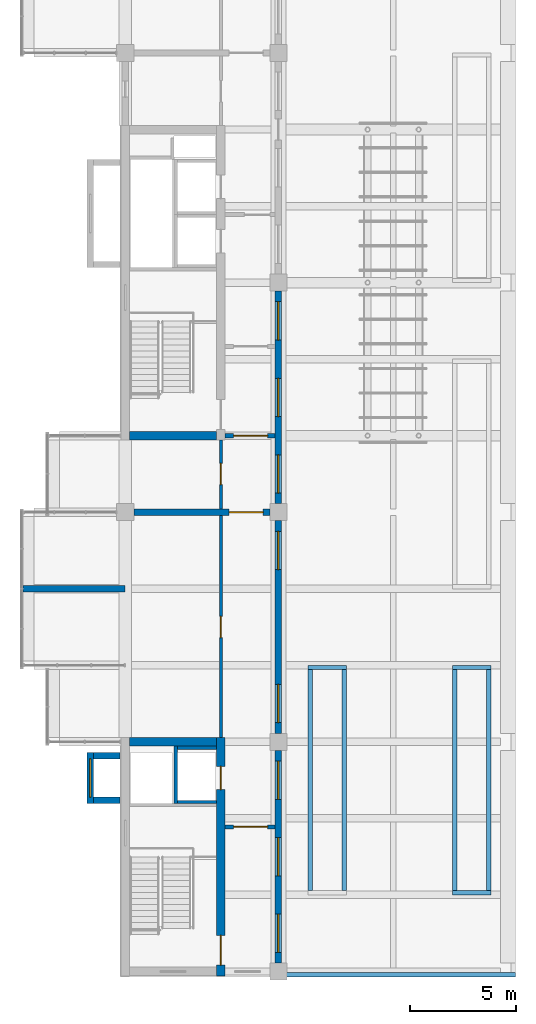
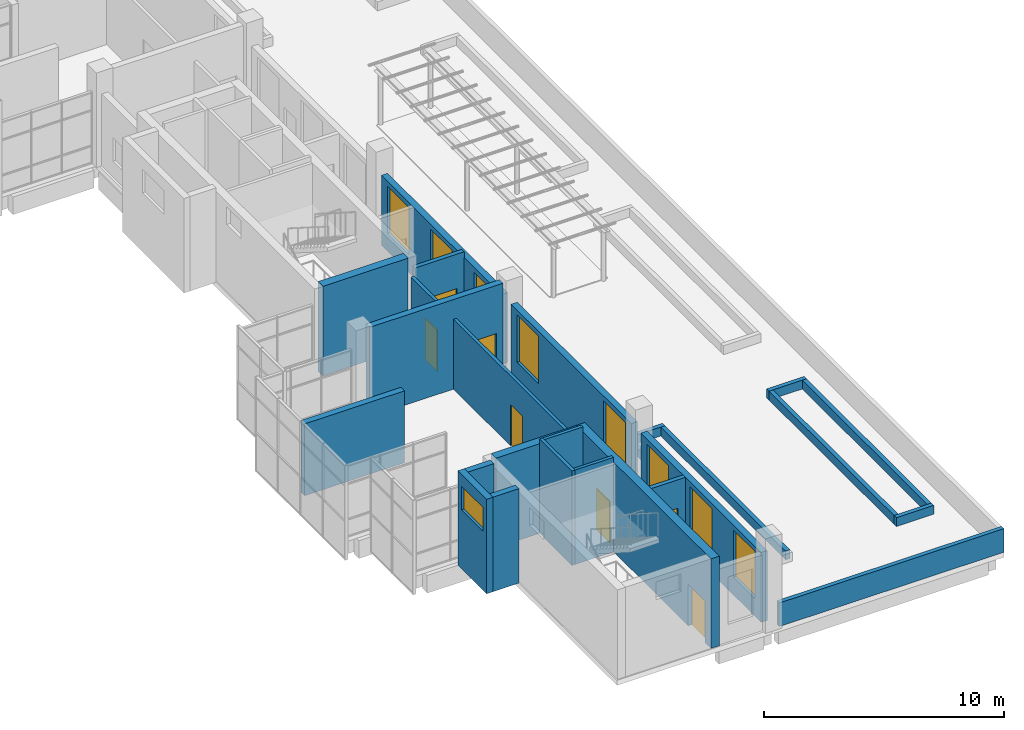
# One storey, part 12 of 16: 26 walls, 9 windows, 7 doors, 16 openings.
"""IFC4 building model written with IfcOpenShell, lengths in metres."""

from ifc_helpers import new_model, si_unit, direction, frame, frame_2d, origin, place, context, subcontext, project, spatial, rectangle, extrude, material, layer, layer_set, type_object, element, fill, save


model = new_model("IFC4")

# Units and contexts
model_context = context("Model", 3, precision=1e-05, world=origin(), true_north=direction((0.0, 1.0)))
body_context = subcontext(model_context, "Body", "Model", "MODEL_VIEW")
ifc_project = project(units=[si_unit("LENGTHUNIT", "METRE"), si_unit("AREAUNIT", "SQUARE_METRE"), si_unit("VOLUMEUNIT", "CUBIC_METRE"), si_unit("PLANEANGLEUNIT", "RADIAN"), si_unit("MASSUNIT", "GRAM", prefix="KILO")], contexts=[model_context])

# Site, building, storey
site_placement = place(None, origin())
site = spatial("IfcSite", under=ifc_project, at=site_placement, CompositionType="ELEMENT")
building_placement = place(site_placement, origin())
building = spatial("IfcBuilding", under=site, at=building_placement, Name="Basin Gate Institute", CompositionType="ELEMENT")
storey_placement = place(building_placement, frame((0.0, 0.0, 65.39990234375)))
storey = spatial("IfcBuildingStorey", under=building, at=storey_placement, Name="L13", CompositionType="ELEMENT", Elevation=65.39990234375)

# Wall
ifc_material_1 = material(Name="Aluminium-faced insulated panel wall", Category="aluminium")
ifc_layer_1 = layer(ifc_material_1, 0.300048828125)
ifc_layer_set_1 = layer_set([ifc_layer_1], Name="Capsule side wall EW2 EI 120")
wall_type_1 = type_object("IfcWallType", Name="Capsule side wall EW2 EI 120", PredefinedType="STANDARD", material=ifc_layer_set_1)
wall_1_placement = place(storey_placement, frame((56.39990234375, 53.10009765625, 0.0), z_axis=(0.0, 0.0, 1.0), x_axis=(1.0, 0.0, 0.0)))
element("IfcWall", 1, at=wall_1_placement, inside=storey, type_object=wall_type_1, material=ifc_layer_set_1, Name="Capsule side wall W wing L13 line 6", PredefinedType="STANDARD", context=body_context, shape_type="SweptSolid", body=[
    extrude(rectangle(XDim=4.800048828125, YDim=0.300048828125, at=frame_2d((2.39990234375, 0.0))), origin(), (0.0, 0.0, 1.0), 3.650146484375),
])

# Wall, opening, door
ifc_material_2 = material(Name="Fire-rated masonry", Category="masonry")
ifc_layer_2 = layer(ifc_material_2, 0.199951171875)
ifc_layer_set_2 = layer_set([ifc_layer_2], Name="Enclosure wall PW2 200 EI 60")
wall_type_2 = type_object("IfcWallType", Name="Enclosure wall PW2 200 EI 60", PredefinedType="PARTITIONING", material=ifc_layer_set_2)
wall_2_placement = place(storey_placement, frame((65.89990234375, 41.89990234375, 0.0), z_axis=(0.0, 0.0, 1.0), x_axis=(1.0, 0.0, 0.0)))
wall_2 = element("IfcWall", 2, at=wall_2_placement, inside=storey, type_object=wall_type_2, material=ifc_layer_set_2, Name="Smoke lobby enclosure wall PW2 L13", PredefinedType="PARTITIONING", context=body_context, shape_type="SweptSolid", body=[
    extrude(rectangle(XDim=2.35009765625, YDim=0.199951171875, at=frame_2d((1.175048828125, 0.0))), origin(), (0.0, 0.0, 1.0), 3.550048828125),
])
opening_1_placement = place(wall_2_placement, frame((0.39990234375, 0.0, 0.0)))
opening_1 = element("IfcOpeningElement", 3, at=opening_1_placement, cuts=wall_2, Name="Opening DR512", PredefinedType="OPENING", context=body_context, shape_type="SweptSolid", body=[
    extrude(rectangle(XDim=1.60009765625, YDim=2.10009765625, at=frame_2d((0.800048828125, 1.050048828125))), frame((0.0, 0.10986328125, 0.0), z_axis=(0.0, -1.0, 0.0), x_axis=(1.0, 0.0, 0.0)), (0.0, 0.0, 1.0), 0.219970703125),
])
ifc_material_3 = material(Name="Steel fire door", Category="steel")
door_type_1 = type_object("IfcDoorType", Name="FD60 Smoke lobby door pair D8", OperationType="DOUBLE_DOOR_SINGLE_SWING", PredefinedType="DOOR", material=ifc_material_3)
door_1_placement = place(opening_1_placement, frame((1.60009765625, 0.0, 0.0), z_axis=(0.0, 0.0, 1.0), x_axis=(-1.0, 0.0, 0.0)))
door_1 = element("IfcDoor", 4, at=door_1_placement, inside=storey, type_object=door_type_1, material=ifc_material_3, Name="Smoke lobby door SS1 L13", OperationType="DOUBLE_DOOR_SINGLE_SWING", OverallHeight=2.10009765625, OverallWidth=1.60009765625, PredefinedType="DOOR", context=body_context, shape_type="SweptSolid", body=[
    extrude(rectangle(XDim=1.60009765625, YDim=2.10009765625, at=frame_2d((0.800048828125, 1.050048828125))), frame((0.0, 0.02490234375, 0.0), z_axis=(0.0, -1.0, 0.0), x_axis=(1.0, 0.0, 0.0)), (0.0, 0.0, 1.0), 0.050048828125),
])
fill(opening_1, door_1)

wall_3_placement = place(storey_placement, frame((65.89990234375, 60.300048828125, 0.0), z_axis=(0.0, 0.0, 1.0), x_axis=(1.0, 0.0, 0.0)))
wall_3 = element("IfcWall", 5, at=wall_3_placement, inside=storey, type_object=wall_type_2, material=ifc_layer_set_2, Name="Smoke lobby enclosure wall PW2 L13", PredefinedType="PARTITIONING", context=body_context, shape_type="SweptSolid", body=[
    extrude(rectangle(XDim=2.35009765625, YDim=0.199951171875, at=frame_2d((1.175048828125, 0.0))), origin(), (0.0, 0.0, 1.0), 3.85009765625),
])
opening_2_placement = place(wall_3_placement, frame((0.39990234375, 0.0, 0.0)))
opening_2 = element("IfcOpeningElement", 6, at=opening_2_placement, cuts=wall_3, Name="Opening DR513", PredefinedType="OPENING", context=body_context, shape_type="SweptSolid", body=[
    extrude(rectangle(XDim=1.60009765625, YDim=2.10009765625, at=frame_2d((0.800048828125, 1.050048828125))), frame((0.0, 0.10986328125, 0.0), z_axis=(0.0, -1.0, 0.0), x_axis=(1.0, 0.0, 0.0)), (0.0, 0.0, 1.0), 0.219970703125),
])
door_2_placement = place(opening_2_placement, origin())
door_2 = element("IfcDoor", 7, at=door_2_placement, inside=storey, type_object=door_type_1, material=ifc_material_3, Name="Smoke lobby door SS2 L13", OperationType="DOUBLE_DOOR_SINGLE_SWING", OverallHeight=2.10009765625, OverallWidth=1.60009765625, PredefinedType="DOOR", context=body_context, shape_type="SweptSolid", body=[
    extrude(rectangle(XDim=1.60009765625, YDim=2.10009765625, at=frame_2d((0.800048828125, 1.050048828125))), frame((0.0, 0.02490234375, 0.0), z_axis=(0.0, -1.0, 0.0), x_axis=(1.0, 0.0, 0.0)), (0.0, 0.0, 1.0), 0.050048828125),
])
fill(opening_2, door_2)

# Wall, openings, windows
ifc_material_4 = material(Name="Aluminium-faced insulated panel wall", Category="aluminium")
ifc_layer_3 = layer(ifc_material_4, 0.300048828125)
ifc_layer_set_3 = layer_set([ifc_layer_3], Name="External wall EW1 EI 120")
wall_type_3 = type_object("IfcWallType", Name="External wall EW1 EI 120", PredefinedType="STANDARD", material=ifc_layer_set_3)
wall_4_placement = place(storey_placement, frame((68.39990234375, 46.300048828125, 0.0), z_axis=(0.0, 0.0, 1.0), x_axis=(0.0, 1.0, 0.0)))
wall_4 = element("IfcWall", 8, at=wall_4_placement, inside=storey, type_object=wall_type_3, material=ifc_layer_set_3, Name="External wall W step face L13 bay 2", PredefinedType="STANDARD", context=body_context, shape_type="SweptSolid", body=[
    extrude(rectangle(XDim=10.0, YDim=0.300048828125, at=frame_2d((5.0, 0.0))), origin(), (0.0, 0.0, 1.0), 3.550048828125),
])
opening_3_placement = place(wall_4_placement, frame((0.5, 0.0, 0.89990234375)))
opening_3 = element("IfcOpeningElement", 9, at=opening_3_placement, cuts=wall_4, Name="Opening WN1", PredefinedType="OPENING", context=body_context, shape_type="SweptSolid", body=[
    extrude(rectangle(XDim=1.800048828125, YDim=2.39990234375, at=frame_2d((0.89990234375, 1.199951171875))), frame((0.0, 0.16015625, 0.0), z_axis=(0.0, -1.0, 0.0), x_axis=(1.0, 0.0, 0.0)), (0.0, 0.0, 1.0), 0.320068359375),
])
opening_4_placement = place(wall_4_placement, frame((7.699951171875, 0.0, 0.89990234375)))
opening_4 = element("IfcOpeningElement", 10, at=opening_4_placement, cuts=wall_4, Name="Opening WN1", PredefinedType="OPENING", context=body_context, shape_type="SweptSolid", body=[
    extrude(rectangle(XDim=1.800048828125, YDim=2.39990234375, at=frame_2d((0.89990234375, 1.199951171875))), frame((0.0, 0.16015625, 0.0), z_axis=(0.0, -1.0, 0.0), x_axis=(1.0, 0.0, 0.0)), (0.0, 0.0, 1.0), 0.320068359375),
])
ifc_material_5 = material(Name="Aluminium-framed double glazing", Category="aluminium")
window_type_1 = type_object("IfcWindowType", Name="Facade window WN1", PartitioningType="SINGLE_PANEL", PredefinedType="WINDOW", material=ifc_material_5)
window_1_placement = place(opening_3_placement, origin())
window_1 = element("IfcWindow", 11, at=window_1_placement, inside=storey, type_object=window_type_1, material=ifc_material_5, Name="Facade window W step face L13 bay 2.1", OverallHeight=2.39990234375, OverallWidth=1.800048828125, PartitioningType="SINGLE_PANEL", PredefinedType="WINDOW", context=body_context, shape_type="SweptSolid", body=[
    extrude(rectangle(XDim=1.800048828125, YDim=2.39990234375, at=frame_2d((0.89990234375, 1.199951171875))), frame((0.0, 0.030029296875, 0.0), z_axis=(0.0, -1.0, 0.0), x_axis=(1.0, 0.0, 0.0)), (0.0, 0.0, 1.0), 0.06005859375),
])
fill(opening_3, window_1)
window_2_placement = place(opening_4_placement, origin())
window_2 = element("IfcWindow", 12, at=window_2_placement, inside=storey, type_object=window_type_1, material=ifc_material_5, Name="Facade window W step face L13 bay 2.3", OverallHeight=2.39990234375, OverallWidth=1.800048828125, PartitioningType="SINGLE_PANEL", PredefinedType="WINDOW", context=body_context, shape_type="SweptSolid", body=[
    extrude(rectangle(XDim=1.800048828125, YDim=2.39990234375, at=frame_2d((0.89990234375, 1.199951171875))), frame((0.0, 0.030029296875, 0.0), z_axis=(0.0, -1.0, 0.0), x_axis=(1.0, 0.0, 0.0)), (0.0, 0.0, 1.0), 0.06005859375),
])
fill(opening_4, window_2)

ifc_material_6 = material(Name="Aluminium-faced insulated panel wall", Category="aluminium")
ifc_layer_4 = layer(ifc_material_6, 0.300048828125)
ifc_layer_set_4 = layer_set([ifc_layer_4], Name="External wall EW5 EI 60")
wall_type_4 = type_object("IfcWallType", Name="External wall EW5 EI 60", PredefinedType="STANDARD", material=ifc_layer_set_4)
wall_5_placement = place(storey_placement, frame((68.39990234375, 35.5, 0.0), z_axis=(0.0, 0.0, 1.0), x_axis=(0.0, 1.0, 0.0)))
wall_5 = element("IfcWall", 13, at=wall_5_placement, inside=storey, type_object=wall_type_4, material=ifc_layer_set_4, Name="External wall W step face L13 bay 1", PredefinedType="STANDARD", context=body_context, shape_type="SweptSolid", body=[
    extrude(rectangle(XDim=10.0, YDim=0.300048828125, at=frame_2d((5.0, 0.0))), origin(), (0.0, 0.0, 1.0), 3.550048828125),
])
opening_5_placement = place(wall_5_placement, frame((0.5, 0.0, 0.89990234375)))
opening_5 = element("IfcOpeningElement", 14, at=opening_5_placement, cuts=wall_5, Name="Opening WN6", PredefinedType="OPENING", context=body_context, shape_type="SweptSolid", body=[
    extrude(rectangle(XDim=1.800048828125, YDim=2.39990234375, at=frame_2d((0.89990234375, 1.199951171875))), frame((0.0, 0.16015625, 0.0), z_axis=(0.0, -1.0, 0.0), x_axis=(1.0, 0.0, 0.0)), (0.0, 0.0, 1.0), 0.320068359375),
])
opening_6_placement = place(wall_5_placement, frame((4.10009765625, 0.0, 0.89990234375)))
opening_6 = element("IfcOpeningElement", 15, at=opening_6_placement, cuts=wall_5, Name="Opening WN6", PredefinedType="OPENING", context=body_context, shape_type="SweptSolid", body=[
    extrude(rectangle(XDim=1.800048828125, YDim=2.39990234375, at=frame_2d((0.89990234375, 1.199951171875))), frame((0.0, 0.16015625, 0.0), z_axis=(0.0, -1.0, 0.0), x_axis=(1.0, 0.0, 0.0)), (0.0, 0.0, 1.0), 0.320068359375),
])
opening_7_placement = place(wall_5_placement, frame((7.699951171875, 0.0, 0.89990234375)))
opening_7 = element("IfcOpeningElement", 16, at=opening_7_placement, cuts=wall_5, Name="Opening WN6", PredefinedType="OPENING", context=body_context, shape_type="SweptSolid", body=[
    extrude(rectangle(XDim=1.800048828125, YDim=2.39990234375, at=frame_2d((0.89990234375, 1.199951171875))), frame((0.0, 0.16015625, 0.0), z_axis=(0.0, -1.0, 0.0), x_axis=(1.0, 0.0, 0.0)), (0.0, 0.0, 1.0), 0.320068359375),
])
ifc_material_7 = material(Name="Fire-resistant glazing in steel-free frame", Category="steel")
window_type_2 = type_object("IfcWindowType", Name="Fire-rated fixed step window WN6", PartitioningType="SINGLE_PANEL", PredefinedType="WINDOW", material=ifc_material_7)
window_3_placement = place(opening_5_placement, origin())
window_3 = element("IfcWindow", 17, at=window_3_placement, inside=storey, type_object=window_type_2, material=ifc_material_7, Name="Fire-rated fixed step window W step face L13 bay 1.1", OverallHeight=2.39990234375, OverallWidth=1.800048828125, PartitioningType="SINGLE_PANEL", PredefinedType="WINDOW", context=body_context, shape_type="SweptSolid", body=[
    extrude(rectangle(XDim=1.800048828125, YDim=2.39990234375, at=frame_2d((0.89990234375, 1.199951171875))), frame((0.0, 0.030029296875, 0.0), z_axis=(0.0, -1.0, 0.0), x_axis=(1.0, 0.0, 0.0)), (0.0, 0.0, 1.0), 0.06005859375),
])
fill(opening_5, window_3)
window_4_placement = place(opening_6_placement, origin())
window_4 = element("IfcWindow", 18, at=window_4_placement, inside=storey, type_object=window_type_2, material=ifc_material_7, Name="Fire-rated fixed step window W step face L13 bay 1.2", OverallHeight=2.39990234375, OverallWidth=1.800048828125, PartitioningType="SINGLE_PANEL", PredefinedType="WINDOW", context=body_context, shape_type="SweptSolid", body=[
    extrude(rectangle(XDim=1.800048828125, YDim=2.39990234375, at=frame_2d((0.89990234375, 1.199951171875))), frame((0.0, 0.030029296875, 0.0), z_axis=(0.0, -1.0, 0.0), x_axis=(1.0, 0.0, 0.0)), (0.0, 0.0, 1.0), 0.06005859375),
])
fill(opening_6, window_4)
window_5_placement = place(opening_7_placement, origin())
window_5 = element("IfcWindow", 19, at=window_5_placement, inside=storey, type_object=window_type_2, material=ifc_material_7, Name="Fire-rated fixed step window W step face L13 bay 1.3", OverallHeight=2.39990234375, OverallWidth=1.800048828125, PartitioningType="SINGLE_PANEL", PredefinedType="WINDOW", context=body_context, shape_type="SweptSolid", body=[
    extrude(rectangle(XDim=1.800048828125, YDim=2.39990234375, at=frame_2d((0.89990234375, 1.199951171875))), frame((0.0, 0.030029296875, 0.0), z_axis=(0.0, -1.0, 0.0), x_axis=(1.0, 0.0, 0.0)), (0.0, 0.0, 1.0), 0.06005859375),
])
fill(opening_7, window_5)

wall_6_placement = place(storey_placement, frame((68.39990234375, 57.10009765625, 0.0), z_axis=(0.0, 0.0, 1.0), x_axis=(0.0, 1.0, 0.0)))
wall_6 = element("IfcWall", 20, at=wall_6_placement, inside=storey, type_object=wall_type_4, material=ifc_layer_set_4, Name="External wall W step face L13 bay 3", PredefinedType="STANDARD", context=body_context, shape_type="SweptSolid", body=[
    extrude(rectangle(XDim=10.0, YDim=0.300048828125, at=frame_2d((5.0, 0.0))), origin(), (0.0, 0.0, 1.0), 3.550048828125),
])
opening_8_placement = place(wall_6_placement, frame((0.5, 0.0, 0.89990234375)))
opening_8 = element("IfcOpeningElement", 21, at=opening_8_placement, cuts=wall_6, Name="Opening WN6", PredefinedType="OPENING", context=body_context, shape_type="SweptSolid", body=[
    extrude(rectangle(XDim=1.800048828125, YDim=2.39990234375, at=frame_2d((0.89990234375, 1.199951171875))), frame((0.0, 0.16015625, 0.0), z_axis=(0.0, -1.0, 0.0), x_axis=(1.0, 0.0, 0.0)), (0.0, 0.0, 1.0), 0.320068359375),
])
opening_9_placement = place(wall_6_placement, frame((4.10009765625, 0.0, 0.89990234375)))
opening_9 = element("IfcOpeningElement", 22, at=opening_9_placement, cuts=wall_6, Name="Opening WN6", PredefinedType="OPENING", context=body_context, shape_type="SweptSolid", body=[
    extrude(rectangle(XDim=1.800048828125, YDim=2.39990234375, at=frame_2d((0.89990234375, 1.199951171875))), frame((0.0, 0.16015625, 0.0), z_axis=(0.0, -1.0, 0.0), x_axis=(1.0, 0.0, 0.0)), (0.0, 0.0, 1.0), 0.320068359375),
])
opening_10_placement = place(wall_6_placement, frame((7.699951171875, 0.0, 0.89990234375)))
opening_10 = element("IfcOpeningElement", 23, at=opening_10_placement, cuts=wall_6, Name="Opening WN6", PredefinedType="OPENING", context=body_context, shape_type="SweptSolid", body=[
    extrude(rectangle(XDim=1.800048828125, YDim=2.39990234375, at=frame_2d((0.89990234375, 1.199951171875))), frame((0.0, 0.16015625, 0.0), z_axis=(0.0, -1.0, 0.0), x_axis=(1.0, 0.0, 0.0)), (0.0, 0.0, 1.0), 0.320068359375),
])
window_6_placement = place(opening_8_placement, origin())
window_6 = element("IfcWindow", 24, at=window_6_placement, inside=storey, type_object=window_type_2, material=ifc_material_7, Name="Fire-rated fixed step window W step face L13 bay 3.1", OverallHeight=2.39990234375, OverallWidth=1.800048828125, PartitioningType="SINGLE_PANEL", PredefinedType="WINDOW", context=body_context, shape_type="SweptSolid", body=[
    extrude(rectangle(XDim=1.800048828125, YDim=2.39990234375, at=frame_2d((0.89990234375, 1.199951171875))), frame((0.0, 0.030029296875, 0.0), z_axis=(0.0, -1.0, 0.0), x_axis=(1.0, 0.0, 0.0)), (0.0, 0.0, 1.0), 0.06005859375),
])
fill(opening_8, window_6)
window_7_placement = place(opening_9_placement, origin())
window_7 = element("IfcWindow", 25, at=window_7_placement, inside=storey, type_object=window_type_2, material=ifc_material_7, Name="Fire-rated fixed step window W step face L13 bay 3.2", OverallHeight=2.39990234375, OverallWidth=1.800048828125, PartitioningType="SINGLE_PANEL", PredefinedType="WINDOW", context=body_context, shape_type="SweptSolid", body=[
    extrude(rectangle(XDim=1.800048828125, YDim=2.39990234375, at=frame_2d((0.89990234375, 1.199951171875))), frame((0.0, 0.030029296875, 0.0), z_axis=(0.0, -1.0, 0.0), x_axis=(1.0, 0.0, 0.0)), (0.0, 0.0, 1.0), 0.06005859375),
])
fill(opening_9, window_7)
window_8_placement = place(opening_10_placement, origin())
window_8 = element("IfcWindow", 26, at=window_8_placement, inside=storey, type_object=window_type_2, material=ifc_material_7, Name="Fire-rated fixed step window W step face L13 bay 3.3", OverallHeight=2.39990234375, OverallWidth=1.800048828125, PartitioningType="SINGLE_PANEL", PredefinedType="WINDOW", context=body_context, shape_type="SweptSolid", body=[
    extrude(rectangle(XDim=1.800048828125, YDim=2.39990234375, at=frame_2d((0.89990234375, 1.199951171875))), frame((0.0, 0.030029296875, 0.0), z_axis=(0.0, -1.0, 0.0), x_axis=(1.0, 0.0, 0.0)), (0.0, 0.0, 1.0), 0.06005859375),
])
fill(opening_10, window_8)

# Wall
ifc_material_8 = material(Name="Concrete 40 MPa", Category="concrete")
ifc_layer_5 = layer(ifc_material_8, 0.199951171875)
ifc_layer_set_5 = layer_set([ifc_layer_5], Name="Concrete 40 MPa")
wall_type_5 = type_object("IfcWallType", Name="Parapet wall PA1", PredefinedType="PARAPET", material=ifc_layer_set_5)
wall_7_placement = place(storey_placement, frame((79.550048828125, 34.949951171875, 0.0), z_axis=(0.0, 0.0, 1.0), x_axis=(-1.0, 0.0, 0.0)))
element("IfcWall", 27, at=wall_7_placement, inside=storey, type_object=wall_type_5, material=ifc_layer_set_5, Name="Parapet wall PA1 L13 W3", PredefinedType="PARAPET", context=body_context, shape_type="SweptSolid", body=[
    extrude(rectangle(XDim=10.800048828125, YDim=0.199951171875, at=frame_2d((5.39990234375, 0.0))), origin(), (0.0, 0.0, 1.0), 1.2001953125),
])

# Wall, opening, door
ifc_material_9 = material(Name="Gypsum board on steel stud", Category="steel")
ifc_layer_6 = layer(ifc_material_9, 0.14990234375)
ifc_layer_set_6 = layer_set([ifc_layer_6], Name="Gypsum board on steel stud")
wall_type_6 = type_object("IfcWallType", Name="Partition PW1 150 EI 60", PredefinedType="PARTITIONING", material=ifc_layer_set_6)
wall_8_placement = place(storey_placement, frame((65.699951171875, 46.10009765625, 0.0), z_axis=(0.0, 0.0, 1.0), x_axis=(0.0, 1.0, 0.0)))
wall_8 = element("IfcWall", 28, at=wall_8_placement, inside=storey, type_object=wall_type_6, material=ifc_layer_set_6, Name="Corridor wall PW1 L13", PredefinedType="PARTITIONING", context=body_context, shape_type="SweptSolid", body=[
    extrude(rectangle(XDim=10.449951171875, YDim=0.14990234375, at=frame_2d((5.22509765625, 0.0))), origin(), (0.0, 0.0, 1.0), 3.550048828125),
])
opening_11_placement = place(wall_8_placement, frame((4.699951171875, 0.0, 0.0)))
opening_11 = element("IfcOpeningElement", 29, at=opening_11_placement, cuts=wall_8, Name="Opening DR507", PredefinedType="OPENING", context=body_context, shape_type="SweptSolid", body=[
    extrude(rectangle(XDim=1.0, YDim=2.10009765625, at=frame_2d((0.5, 1.050048828125))), frame((0.0, 0.0849609375, 0.0), z_axis=(0.0, -1.0, 0.0), x_axis=(1.0, 0.0, 0.0)), (0.0, 0.0, 1.0), 0.169921875),
])
ifc_material_10 = material(Name="Timber fire door", Category="wood")
door_type_2 = type_object("IfcDoorType", Name="FD30 Office door D1", OperationType="NOTDEFINED", PredefinedType="DOOR", material=ifc_material_10)
door_3_placement = place(opening_11_placement, origin())
door_3 = element("IfcDoor", 30, at=door_3_placement, inside=storey, type_object=door_type_2, material=ifc_material_10, Name="Door to Library Carrel Room 1301 L13", OperationType="SINGLE_SWING_LEFT", OverallHeight=2.10009765625, OverallWidth=1.0, PredefinedType="DOOR", context=body_context, shape_type="SweptSolid", body=[
    extrude(rectangle(XDim=1.0, YDim=2.10009765625, at=frame_2d((0.5, 1.050048828125))), frame((0.0, 0.02490234375, 0.0), z_axis=(0.0, -1.0, 0.0), x_axis=(1.0, 0.0, 0.0)), (0.0, 0.0, 1.0), 0.050048828125),
])
fill(opening_11, door_3)

wall_9_placement = place(storey_placement, frame((65.699951171875, 56.85009765625, 0.0), z_axis=(0.0, 0.0, 1.0), x_axis=(0.0, 1.0, 0.0)))
wall_9 = element("IfcWall", 31, at=wall_9_placement, inside=storey, type_object=wall_type_6, material=ifc_layer_set_6, Name="Corridor wall PW1 L13", PredefinedType="PARTITIONING", context=body_context, shape_type="SweptSolid", body=[
    extrude(rectangle(XDim=3.25, YDim=0.14990234375, at=frame_2d((1.625, 0.0))), origin(), (0.0, 0.0, 1.0), 3.550048828125),
])
opening_12_placement = place(wall_9_placement, frame((1.14990234375, 0.0, 0.0)))
opening_12 = element("IfcOpeningElement", 32, at=opening_12_placement, cuts=wall_9, Name="Opening DR510", PredefinedType="OPENING", context=body_context, shape_type="SweptSolid", body=[
    extrude(rectangle(XDim=1.0, YDim=2.10009765625, at=frame_2d((0.5, 1.050048828125))), frame((0.0, 0.0849609375, 0.0), z_axis=(0.0, -1.0, 0.0), x_axis=(1.0, 0.0, 0.0)), (0.0, 0.0, 1.0), 0.169921875),
])
door_4_placement = place(opening_12_placement, origin())
door_4 = element("IfcDoor", 33, at=door_4_placement, inside=storey, type_object=door_type_2, material=ifc_material_10, Name="Door to Write-up Office 1302 L13", OperationType="SINGLE_SWING_RIGHT", OverallHeight=2.10009765625, OverallWidth=1.0, PredefinedType="DOOR", context=body_context, shape_type="SweptSolid", body=[
    extrude(rectangle(XDim=1.0, YDim=2.10009765625, at=frame_2d((0.5, 1.050048828125))), frame((0.0, 0.02490234375, 0.0), z_axis=(0.0, -1.0, 0.0), x_axis=(1.0, 0.0, 0.0)), (0.0, 0.0, 1.0), 0.050048828125),
])
fill(opening_12, door_4)

# Walls
ifc_material_11 = material(Name="Concrete 40 MPa", Category="concrete")
ifc_layer_7 = layer(ifc_material_11, 0.199951171875)
ifc_layer_set_7 = layer_set([ifc_layer_7], Name="Concrete 40 MPa")
wall_type_7 = type_object("IfcWallType", Name="Planter wall PT1", PredefinedType="SOLIDWALL", material=ifc_layer_set_7)
for number, where, z_axis, x_axis, name in (
    (34, (76.60009765625, 38.800048828125, 0.0), (0.0, 0.0, 1.0), (1.0, 0.0, 0.0), "Planter wall PT1 W1"),
    (35, (76.60009765625, 49.39990234375, 0.0), (0.0, 0.0, 1.0), (1.0, 0.0, 0.0), "Planter wall PT1 W1"),
):
    element("IfcWall", number, at=place(storey_placement, frame(where, z_axis=z_axis, x_axis=x_axis)), inside=storey, type_object=wall_type_7, material=ifc_layer_set_7, Name=name, PredefinedType="SOLIDWALL", context=body_context, shape_type="SweptSolid", body=[
        extrude(rectangle(XDim=1.7998046875, YDim=0.199951171875, at=frame_2d((0.89990234375, 0.0))), origin(), (0.0, 0.0, 1.0), 0.4501953125),
    ])
for number, where, z_axis, x_axis, name in (
    (36, (76.699951171875, 38.89990234375, 0.0), (0.0, 0.0, 1.0), (0.0, 1.0, 0.0), "Planter wall PT1 W1"),
    (37, (78.300048828125, 38.89990234375, 0.0), (0.0, 0.0, 1.0), (0.0, 1.0, 0.0), "Planter wall PT1 W1"),
):
    element("IfcWall", number, at=place(storey_placement, frame(where, z_axis=z_axis, x_axis=x_axis)), inside=storey, type_object=wall_type_7, material=ifc_layer_set_7, Name=name, PredefinedType="SOLIDWALL", context=body_context, shape_type="SweptSolid", body=[
        extrude(rectangle(XDim=10.400146484375, YDim=0.199951171875, at=frame_2d((5.2001953125, 0.0))), origin(), (0.0, 0.0, 1.0), 0.4501953125),
    ])
wall_10_placement = place(storey_placement, frame((69.800048828125, 49.39990234375, 0.0), z_axis=(0.0, 0.0, 1.0), x_axis=(1.0, 0.0, 0.0)))
element("IfcWall", 38, at=wall_10_placement, inside=storey, type_object=wall_type_7, material=ifc_layer_set_7, Name="Planter wall PT1 W5", PredefinedType="SOLIDWALL", context=body_context, shape_type="SweptSolid", body=[
    extrude(rectangle(XDim=1.800048828125, YDim=0.199951171875, at=frame_2d((0.89990234375, 0.0))), origin(), (0.0, 0.0, 1.0), 0.4501953125),
])
for number, where, z_axis, x_axis, name in (
    (39, (69.89990234375, 38.89990234375, 0.0), (0.0, 0.0, 1.0), (0.0, 1.0, 0.0), "Planter wall PT1 W5"),
    (40, (71.5, 38.89990234375, 0.0), (0.0, 0.0, 1.0), (0.0, 1.0, 0.0), "Planter wall PT1 W5"),
):
    element("IfcWall", number, at=place(storey_placement, frame(where, z_axis=z_axis, x_axis=x_axis)), inside=storey, type_object=wall_type_7, material=ifc_layer_set_7, Name=name, PredefinedType="SOLIDWALL", context=body_context, shape_type="SweptSolid", body=[
        extrude(rectangle(XDim=10.400146484375, YDim=0.199951171875, at=frame_2d((5.2001953125, 0.0))), origin(), (0.0, 0.0, 1.0), 0.4501953125),
    ])
ifc_material_12 = material(Name="Concrete 40 MPa", Category="concrete")
ifc_layer_8 = layer(ifc_material_12, 0.14990234375)
ifc_layer_set_8 = layer_set([ifc_layer_8], Name="Concrete 40 MPa")
wall_type_8 = type_object("IfcWallType", Name="Wall LS1 lift shaft enclosure R120", PredefinedType="SOLIDWALL", material=ifc_layer_set_8)
wall_11_placement = place(storey_placement, frame((63.574951171875, 43.0, 0.0), z_axis=(0.0, 0.0, 1.0), x_axis=(0.0, 1.0, 0.0)))
element("IfcWall", 41, at=wall_11_placement, inside=storey, type_object=wall_type_8, material=ifc_layer_set_8, Name="Lift shaft enclosure LP1 L13 UL", PredefinedType="SOLIDWALL", context=body_context, shape_type="SweptSolid", body=[
    extrude(rectangle(XDim=2.699951171875, YDim=0.14990234375, at=frame_2d((1.35009765625, 0.0))), origin(), (0.0, 0.0, 1.0), 4.800048828125),
])
for number, where, z_axis, x_axis, name in (
    (42, (63.64990234375, 43.074951171875, 0.0), (0.0, 0.0, 1.0), (1.0, 0.0, 0.0), "Lift shaft enclosure LP1 L13 RL"),
    (43, (63.64990234375, 45.625, 0.0), (0.0, 0.0, 1.0), (1.0, 0.0, 0.0), "Lift shaft enclosure LP1 L13 RH"),
):
    element("IfcWall", number, at=place(storey_placement, frame(where, z_axis=z_axis, x_axis=x_axis)), inside=storey, type_object=wall_type_8, material=ifc_layer_set_8, Name=name, PredefinedType="SOLIDWALL", context=body_context, shape_type="SweptSolid", body=[
        extrude(rectangle(XDim=1.85009765625, YDim=0.14990234375, at=frame_2d((0.925048828125, 0.0))), origin(), (0.0, 0.0, 1.0), 4.800048828125),
    ])

# Wall, opening, window
ifc_material_13 = material(Name="Concrete 50 MPa", Category="concrete")
ifc_layer_9 = layer(ifc_material_13, 0.300048828125)
ifc_layer_set_9 = layer_set([ifc_layer_9], Name="Concrete 50 MPa")
wall_type_9 = type_object("IfcWallType", Name="Wall SK1 R120", PredefinedType="SHEAR", material=ifc_layer_set_9)
wall_12_placement = place(storey_placement, frame((59.550048828125, 43.0, 0.0), z_axis=(0.0, 0.0, 1.0), x_axis=(0.0, 1.0, 0.0)))
wall_12 = element("IfcWall", 44, at=wall_12_placement, inside=storey, type_object=wall_type_9, material=ifc_layer_set_9, Name="Spine riser stack wall SK1 WS F L13", PredefinedType="SHEAR", context=body_context, shape_type="SweptSolid", body=[
    extrude(rectangle(XDim=2.39990234375, YDim=0.300048828125, at=frame_2d((1.199951171875, 0.0))), origin(), (0.0, 0.0, 1.0), 4.800048828125),
])
opening_13_placement = place(wall_12_placement, frame((0.300048828125, 0.0, 3.0)))
opening_13 = element("IfcOpeningElement", 45, at=opening_13_placement, cuts=wall_12, Name="Opening WL2", PredefinedType="OPENING", context=body_context, shape_type="SweptSolid", body=[
    extrude(rectangle(XDim=1.800048828125, YDim=1.199951171875, at=frame_2d((0.89990234375, 0.60009765625))), frame((0.0, 0.16015625, 0.0), z_axis=(0.0, -1.0, 0.0), x_axis=(1.0, 0.0, 0.0)), (0.0, 0.0, 1.0), 0.320068359375),
])
ifc_material_14 = material(Name="Aluminium louvre blades with fire damper", Category="aluminium")
window_type_3 = type_object("IfcWindowType", Name="Riser louvre EI 120 WL2", PartitioningType="SINGLE_PANEL", PredefinedType="WINDOW", material=ifc_material_14)
window_9_placement = place(opening_13_placement, origin())
window_9 = element("IfcWindow", 46, at=window_9_placement, inside=storey, type_object=window_type_3, material=ifc_material_14, Name="Riser louvre EI 120 WS riser 1 L13", OverallHeight=1.199951171875, OverallWidth=1.800048828125, PartitioningType="SINGLE_PANEL", PredefinedType="WINDOW", context=body_context, shape_type="SweptSolid", body=[
    extrude(rectangle(XDim=1.800048828125, YDim=1.199951171875, at=frame_2d((0.89990234375, 0.60009765625))), frame((0.0, 0.030029296875, 0.0), z_axis=(0.0, -1.0, 0.0), x_axis=(1.0, 0.0, 0.0)), (0.0, 0.0, 1.0), 0.06005859375),
])
fill(opening_13, window_9)

# Walls
for number, where, z_axis, x_axis, name in (
    (47, (60.949951171875, 43.14990234375, 0.0), (0.0, 0.0, 1.0), (-1.0, 0.0, 0.0), "Spine riser stack wall SK1 WS A L13"),
    (48, (60.949951171875, 45.25, 0.0), (0.0, 0.0, 1.0), (-1.0, 0.0, 0.0), "Spine riser stack wall SK1 WS B L13"),
):
    element("IfcWall", number, at=place(storey_placement, frame(where, z_axis=z_axis, x_axis=x_axis)), inside=storey, type_object=wall_type_9, material=ifc_layer_set_9, Name=name, PredefinedType="SHEAR", context=body_context, shape_type="SweptSolid", body=[
        extrude(rectangle(XDim=1.25, YDim=0.300048828125, at=frame_2d((0.625, 0.0))), origin(), (0.0, 0.0, 1.0), 4.800048828125),
    ])

# Wall, openings, doors
ifc_material_15 = material(Name="Concrete 50 MPa", Category="concrete")
ifc_layer_10 = layer(ifc_material_15, 0.39990234375)
ifc_layer_set_10 = layer_set([ifc_layer_10], Name="Concrete 50 MPa")
wall_type_10 = type_object("IfcWallType", Name="Wall SW2 R120", PredefinedType="SHEAR", material=ifc_layer_set_10)
wall_13_placement = place(storey_placement, frame((65.699951171875, 34.89990234375, 0.0), z_axis=(0.0, 0.0, 1.0), x_axis=(0.0, 1.0, 0.0)))
wall_13 = element("IfcWall", 49, at=wall_13_placement, inside=storey, type_object=wall_type_10, material=ifc_layer_set_10, Name="WALL/L13/WS/C", PredefinedType="SHEAR", context=body_context, shape_type="SweptSolid", body=[
    extrude(rectangle(XDim=11.2001953125, YDim=0.39990234375, at=frame_2d((5.60009765625, 0.0))), origin(), (0.0, 0.0, 1.0), 4.550048828125),
])
opening_14_placement = place(wall_13_placement, frame((0.5, 0.0, 0.0)))
opening_14 = element("IfcOpeningElement", 50, at=opening_14_placement, cuts=wall_13, Name="Opening DS067", PredefinedType="OPENING", context=body_context, shape_type="SweptSolid", body=[
    extrude(rectangle(XDim=1.39990234375, YDim=2.10009765625, at=frame_2d((0.699951171875, 1.050048828125))), frame((0.0, 0.2099609375, 0.0), z_axis=(0.0, -1.0, 0.0), x_axis=(1.0, 0.0, 0.0)), (0.0, 0.0, 1.0), 0.419921875),
])
opening_15_placement = place(wall_13_placement, frame((8.75, 0.0, 0.0)))
opening_15 = element("IfcOpeningElement", 51, at=opening_15_placement, cuts=wall_13, Name="Opening LD016", PredefinedType="OPENING", context=body_context, shape_type="SweptSolid", body=[
    extrude(rectangle(XDim=1.10009765625, YDim=2.10009765625, at=frame_2d((0.550048828125, 1.050048828125))), frame((0.0, 0.2099609375, 0.0), z_axis=(0.0, -1.0, 0.0), x_axis=(1.0, 0.0, 0.0)), (0.0, 0.0, 1.0), 0.419921875),
])
ifc_material_16 = material(Name="Steel fire door", Category="steel")
door_type_3 = type_object("IfcDoorType", Name="FD30 Stair enclosure door DS", OperationType="DOUBLE_DOOR_SINGLE_SWING", PredefinedType="DOOR", material=ifc_material_16)
door_5_placement = place(opening_14_placement, origin())
door_5 = element("IfcDoor", 52, at=door_5_placement, inside=storey, type_object=door_type_3, material=ifc_material_16, Name="Stair enclosure door ST-WS L13", OperationType="DOUBLE_DOOR_SINGLE_SWING", OverallHeight=2.10009765625, OverallWidth=1.39990234375, PredefinedType="DOOR", context=body_context, shape_type="SweptSolid", body=[
    extrude(rectangle(XDim=1.39990234375, YDim=2.10009765625, at=frame_2d((0.699951171875, 1.050048828125))), frame((0.0, 0.02490234375, 0.0), z_axis=(0.0, -1.0, 0.0), x_axis=(1.0, 0.0, 0.0)), (0.0, 0.0, 1.0), 0.050048828125),
])
fill(opening_14, door_5)
ifc_material_17 = material(Name="Stainless steel", Category="steel")
door_type_4 = type_object("IfcDoorType", Name="FD60 Lift landing door LD", OperationType="SLIDING_TO_LEFT", PredefinedType="DOOR", material=ifc_material_17)
door_6_placement = place(opening_15_placement, origin())
door_6 = element("IfcDoor", 53, at=door_6_placement, inside=storey, type_object=door_type_4, material=ifc_material_17, Name="Lift landing door LP1 L13", OperationType="SLIDING_TO_LEFT", OverallHeight=2.10009765625, OverallWidth=1.10009765625, PredefinedType="DOOR", context=body_context, shape_type="SweptSolid", body=[
    extrude(rectangle(XDim=1.10009765625, YDim=2.10009765625, at=frame_2d((0.550048828125, 1.050048828125))), frame((0.0, 0.02490234375, 0.0), z_axis=(0.0, -1.0, 0.0), x_axis=(1.0, 0.0, 0.0)), (0.0, 0.0, 1.0), 0.050048828125),
])
fill(opening_15, door_6)

# Walls
for number, where, z_axis, x_axis, name in (
    (54, (61.39990234375, 45.89990234375, 0.0), (0.0, 0.0, 1.0), (1.0, 0.0, 0.0), "WALL/L13/WS/N"),
    (55, (61.39990234375, 60.300048828125, 0.0), (0.0, 0.0, 1.0), (1.0, 0.0, 0.0), "WALL/L13/WM/S"),
):
    element("IfcWall", number, at=place(storey_placement, frame(where, z_axis=z_axis, x_axis=x_axis)), inside=storey, type_object=wall_type_10, material=ifc_layer_set_10, Name=name, PredefinedType="SHEAR", context=body_context, shape_type="SweptSolid", body=[
        extrude(rectangle(XDim=4.10009765625, YDim=0.39990234375, at=frame_2d((2.050048828125, 0.0))), origin(), (0.0, 0.0, 1.0), 4.550048828125),
    ])

# Wall, opening, door
ifc_material_18 = material(Name="Concrete 50 MPa", Category="concrete")
ifc_layer_11 = layer(ifc_material_18, 0.300048828125)
ifc_layer_set_11 = layer_set([ifc_layer_11], Name="Concrete 50 MPa")
wall_type_11 = type_object("IfcWallType", Name="Wall XW1 R120", PredefinedType="SHEAR", material=ifc_layer_set_11)
wall_14_placement = place(storey_placement, frame((61.60009765625, 56.699951171875, 0.0), z_axis=(0.0, 0.0, 1.0), x_axis=(1.0, 0.0, 0.0)))
wall_14 = element("IfcWall", 56, at=wall_14_placement, inside=storey, type_object=wall_type_11, material=ifc_layer_set_11, Name="WALL/L13/WXC/1", PredefinedType="SHEAR", context=body_context, shape_type="SweptSolid", body=[
    extrude(rectangle(XDim=6.39990234375, YDim=0.300048828125, at=frame_2d((3.199951171875, 0.0))), origin(), (0.0, 0.0, 1.0), 4.550048828125),
])
opening_16_placement = place(wall_14_placement, frame((4.487548828125, 0.0, 0.0)))
opening_16 = element("IfcOpeningElement", 57, at=opening_16_placement, cuts=wall_14, Name="Opening DR516", PredefinedType="OPENING", context=body_context, shape_type="SweptSolid", body=[
    extrude(rectangle(XDim=1.60009765625, YDim=2.10009765625, at=frame_2d((0.800048828125, 1.050048828125))), frame((0.0, 0.16015625, 0.0), z_axis=(0.0, -1.0, 0.0), x_axis=(1.0, 0.0, 0.0)), (0.0, 0.0, 1.0), 0.320068359375),
])
ifc_material_19 = material(Name="Steel fire door", Category="steel")
door_type_5 = type_object("IfcDoorType", Name="FD60 Compartment door pair D7", OperationType="DOUBLE_DOOR_SINGLE_SWING", PredefinedType="DOOR", material=ifc_material_19)
door_7_placement = place(opening_16_placement, origin())
door_7 = element("IfcDoor", 58, at=door_7_placement, inside=storey, type_object=door_type_5, material=ifc_material_19, Name="Compartment door pair L13 W1 L13", OperationType="DOUBLE_DOOR_SINGLE_SWING", OverallHeight=2.10009765625, OverallWidth=1.60009765625, PredefinedType="DOOR", context=body_context, shape_type="SweptSolid", body=[
    extrude(rectangle(XDim=1.60009765625, YDim=2.10009765625, at=frame_2d((0.800048828125, 1.050048828125))), frame((0.0, 0.02490234375, 0.0), z_axis=(0.0, -1.0, 0.0), x_axis=(1.0, 0.0, 0.0)), (0.0, 0.0, 1.0), 0.050048828125),
])
fill(opening_16, door_7)

save(model, "model.ifc")
